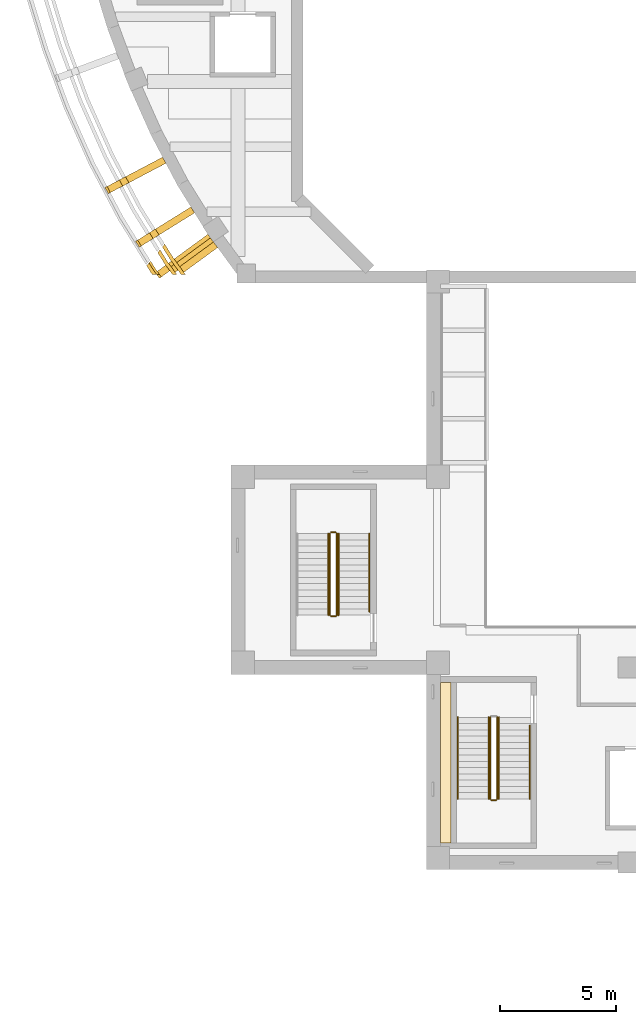
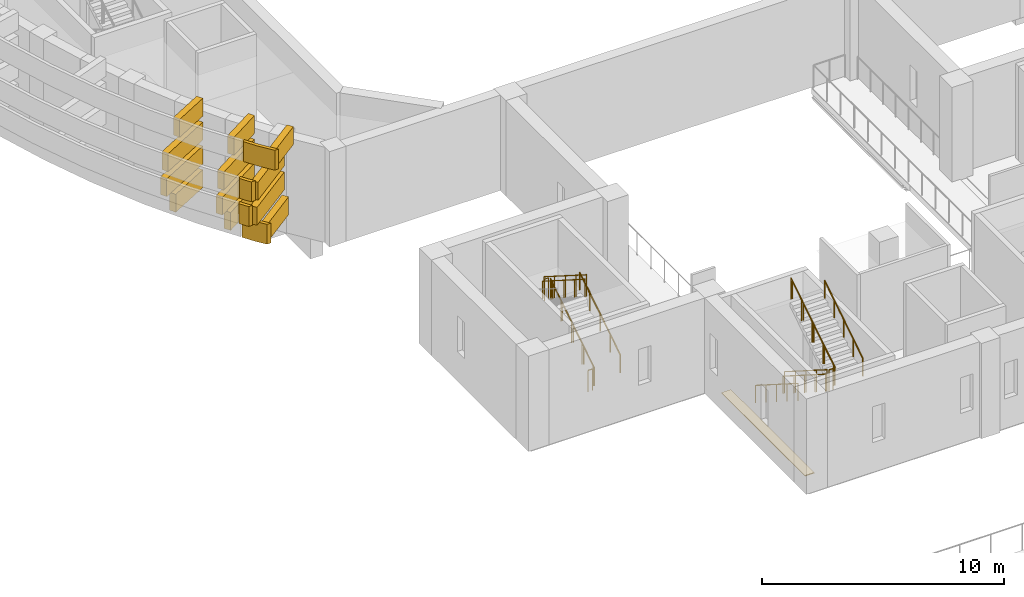
# One storey, part 21 of 37: 17 coverings, 14 railings.
"""IFC4 building model written with IfcOpenShell, lengths in metres."""

from ifc_helpers import new_model, si_unit, direction, frame, origin, origin_2d, place, context, subcontext, project, spatial, polyline, rectangle, circle, outline, extrude, material, layer, layer_set, type_object, element, save


model = new_model("IFC4")

# Units and contexts
model_context = context("Model", 3, precision=1e-05, world=origin(), true_north=direction((0.0, 1.0)))
body_context = subcontext(model_context, "Body", "Model", "MODEL_VIEW")
ifc_project = project(units=[si_unit("LENGTHUNIT", "METRE"), si_unit("AREAUNIT", "SQUARE_METRE"), si_unit("VOLUMEUNIT", "CUBIC_METRE"), si_unit("PLANEANGLEUNIT", "RADIAN"), si_unit("MASSUNIT", "GRAM", prefix="KILO")], contexts=[model_context])

# Site, building, storey
site_placement = place(None, origin())
site = spatial("IfcSite", under=ifc_project, at=site_placement, CompositionType="ELEMENT")
building_placement = place(site_placement, origin())
building = spatial("IfcBuilding", under=site, at=building_placement, Name="Larchfold Concert Hall", CompositionType="ELEMENT")
storey_placement = place(building_placement, frame((0.0, 0.0, 19.199951171875)))
storey = spatial("IfcBuildingStorey", under=building, at=storey_placement, Name="L04", CompositionType="ELEMENT", Elevation=19.199951171875)

# Coverings
ifc_material_1 = material(Name="Polished terrazzo")
ifc_layer_1 = layer(ifc_material_1, 0.0400390625)
ifc_layer_set_1 = layer_set([ifc_layer_1], Name="Polished terrazzo")
covering_type_1 = type_object("IfcCoveringType", Name="Floor finish terrazzo 40", PredefinedType="FLOORING", material=ifc_layer_set_1)
covering_1_placement = place(storey_placement, origin())
element("IfcCovering", 1, at=covering_1_placement, inside=storey, type_object=covering_type_1, Name="Floor finish Fly Gallery Walkway 01", PredefinedType="FLOORING", context=body_context, shape_type="SweptSolid", body=[
    extrude(outline(polyline([(34.5, 35.050048828125), (34.949951171875, 35.050048828125), (34.949951171875, 41.949951171875), (34.5, 41.949951171875), (34.5, 35.050048828125)])), origin(), (0.0, 0.0, 1.0), 0.0400390625),
])
ifc_material_2 = material(Name="Powder-coated orange aluminium", Category="aluminium")
ifc_layer_2 = layer(ifc_material_2, 0.14990234375)
ifc_layer_set_2 = layer_set([ifc_layer_2], Name="Powder-coated orange aluminium")
covering_type_2 = type_object("IfcCoveringType", Name="Orange aluminium ring cladding", PredefinedType="CLADDING", material=ifc_layer_set_2)
covering_2_placement = place(storey_placement, frame((0.0, 0.0, 0.900146484375)))
element("IfcCovering", 2, at=covering_2_placement, inside=storey, type_object=covering_type_2, Name="Ring band R08d", PredefinedType="CLADDING", context=body_context, shape_type="SweptSolid", body=[
    extrude(outline(polyline([(22.44091796875, 60.5693359375), (22.33935546875, 60.44873046875), (22.63330078125, 59.975341796875), (22.9814453125, 59.5), (23.167236328125, 59.5), (22.7578125, 60.0595703125), (22.44091796875, 60.5693359375)])), origin(), (0.0, 0.0, 1.0), 1.0),
])
covering_3_placement = place(storey_placement, frame((0.0, 0.0, 2.10009765625)))
element("IfcCovering", 3, at=covering_3_placement, inside=storey, type_object=covering_type_2, Name="Ring band R09d", PredefinedType="CLADDING", context=body_context, shape_type="SweptSolid", body=[
    extrude(outline(polyline([(21.967041015625, 60.005615234375), (21.865478515625, 59.884765625), (22.052734375, 59.58349609375), (22.11376953125, 59.5), (22.2998046875, 59.5), (22.17724609375, 59.66748046875), (21.967041015625, 60.005615234375)])), origin(), (0.0, 0.0, 1.0), 1.0),
])
covering_4_placement = place(storey_placement, frame((0.0, 0.0, 3.300048828125)))
element("IfcCovering", 4, at=covering_4_placement, inside=storey, type_object=covering_type_2, Name="Ring band R10d", PredefinedType="CLADDING", context=body_context, shape_type="SweptSolid", body=[
    extrude(outline(polyline([(22.03466796875, 60.086181640625), (21.93310546875, 59.96533203125), (22.1357421875, 59.639404296875), (22.23779296875, 59.5), (22.423583984375, 59.5), (22.260009765625, 59.723388671875), (22.03466796875, 60.086181640625)])), origin(), (0.0, 0.0, 1.0), 1.0),
])
covering_5_placement = place(storey_placement, frame((0.0, 0.0, 4.5)))
element("IfcCovering", 5, at=covering_5_placement, inside=storey, type_object=covering_type_2, Name="Ring band R11d", PredefinedType="CLADDING", context=body_context, shape_type="SweptSolid", body=[
    extrude(outline(polyline([(22.643798828125, 60.81103515625), (22.542236328125, 60.690185546875), (22.882080078125, 60.1435546875), (23.353271484375, 59.5), (23.5390625, 59.5), (23.006591796875, 60.2275390625), (22.643798828125, 60.81103515625)])), origin(), (0.0, 0.0, 1.0), 1.0),
])
ifc_material_3 = material(Name="Galvanised steel bracket", Category="steel")
ifc_layer_3 = layer(ifc_material_3, 0.300048828125)
ifc_layer_set_3 = layer_set([ifc_layer_3], Name="Galvanised steel bracket")
covering_type_3 = type_object("IfcCoveringType", Name="Ring support bracket", PredefinedType="CLADDING", material=ifc_layer_set_3)
for number, where, z_axis, x_axis, name in (
    (6, (21.693359375, 63.931884765625, 0.9501953125), (0.0, 0.0, 1.0), (-0.884535681061, -0.466472538238, 0.0), "Ring bracket BR-R08-24"),
    (7, (22.956298828125, 61.729248046875, 0.9501953125), (0.0, 0.0, 1.0), (-0.849390839977, -0.527764342263, 0.0), "Ring bracket BR-R08-25"),
    (8, (23.852783203125, 60.34130859375, 0.9501953125), (0.0, 0.0, 1.0), (-0.80684915404, -0.590757515927, 0.0), "Ring bracket BR-R08-26"),
):
    element("IfcCovering", number, at=place(storey_placement, frame(where, z_axis=z_axis, x_axis=x_axis)), inside=storey, type_object=covering_type_3, Name=name, PredefinedType="CLADDING", context=body_context, shape_type="SweptSolid", body=[
        extrude(rectangle(XDim=2.10009765625, YDim=0.300048828125, at=origin_2d()), origin(), (0.0, 0.0, 1.0), 0.89990234375),
    ])
for number, where, z_axis, x_axis, name in (
    (9, (21.3837890625, 63.768798828125, 2.150146484375), (0.0, 0.0, 1.0), (-0.884535681061, -0.466472538238, 0.0), "Ring bracket BR-R09-24"),
    (10, (22.6591796875, 61.54443359375, 2.150146484375), (0.0, 0.0, 1.0), (-0.849390839977, -0.527764342263, 0.0), "Ring bracket BR-R09-25"),
    (11, (23.458251953125, 60.28759765625, 2.150146484375), (0.0, 0.0, 1.0), (-0.80684915404, -0.590757515927, 0.0), "Ring bracket BR-R09-26"),
):
    element("IfcCovering", number, at=place(storey_placement, frame(where, z_axis=z_axis, x_axis=x_axis)), inside=storey, type_object=covering_type_3, Name=name, PredefinedType="CLADDING", context=body_context, shape_type="SweptSolid", body=[
        extrude(rectangle(XDim=2.800048828125, YDim=0.300048828125, at=origin_2d()), origin(), (0.0, 0.0, 1.0), 0.89990234375),
    ])
for number, where, z_axis, x_axis, name in (
    (12, (21.427978515625, 63.7919921875, 3.35009765625), (0.0, 0.0, 1.0), (-0.884535681061, -0.466472538238, 0.0), "Ring bracket BR-R10-24"),
    (13, (22.70166015625, 61.57080078125, 3.35009765625), (0.0, 0.0, 1.0), (-0.849390839977, -0.527764342263, 0.0), "Ring bracket BR-R10-25"),
    (14, (23.49853515625, 60.317138671875, 3.35009765625), (0.0, 0.0, 1.0), (-0.80684915404, -0.590757515927, 0.0), "Ring bracket BR-R10-26"),
):
    element("IfcCovering", number, at=place(storey_placement, frame(where, z_axis=z_axis, x_axis=x_axis)), inside=storey, type_object=covering_type_3, Name=name, PredefinedType="CLADDING", context=body_context, shape_type="SweptSolid", body=[
        extrude(rectangle(XDim=2.699951171875, YDim=0.300048828125, at=origin_2d()), origin(), (0.0, 0.0, 1.0), 0.89990234375),
    ])
for number, where, z_axis, x_axis, name in (
    (15, (21.825927734375, 64.001953125, 4.550048828125), (0.0, 0.0, 1.0), (-0.884535681061, -0.466472538238, 0.0), "Ring bracket BR-R11-24"),
    (16, (23.083740234375, 61.808349609375, 4.550048828125), (0.0, 0.0, 1.0), (-0.849390839977, -0.527764342263, 0.0), "Ring bracket BR-R11-25"),
    (17, (24.103515625, 60.252685546875, 4.550048828125), (0.0, 0.0, 1.0), (-0.80684915404, -0.590757515927, 0.0), "Ring bracket BR-R11-26"),
):
    element("IfcCovering", number, at=place(storey_placement, frame(where, z_axis=z_axis, x_axis=x_axis)), inside=storey, type_object=covering_type_3, Name=name, PredefinedType="CLADDING", context=body_context, shape_type="SweptSolid", body=[
        extrude(rectangle(XDim=1.800048828125, YDim=0.300048828125, at=origin_2d()), origin(), (0.0, 0.0, 1.0), 0.89990234375),
    ])

# Railings
ifc_material_4 = material(Name="Stainless steel balustrade", Category="steel")
railing_type_1 = type_object("IfcRailingType", Name="Stair guard 1100", PredefinedType="GUARDRAIL", material=ifc_material_4)
railing_1_placement = place(storey_placement, frame((30.050048828125, 44.85009765625, 0.17138671875)))
element("IfcRailing", 18, at=railing_1_placement, inside=storey, type_object=railing_type_1, Name="Guard GR0035", PredefinedType="GUARDRAIL", context=body_context, shape_type="SweptSolid", body=[
    extrude(circle(Radius=0.02392578125, at=origin_2d()), frame((0.0, 0.0, 1.076171875), z_axis=(0.0, 0.844192992368, 0.536039356425), x_axis=(-1.0, 0.0, 0.0)), (0.0, 0.0, 1.0), 4.15771484375),
    extrude(circle(Radius=0.02099609375, at=origin_2d()), origin(), (0.0, 0.0, 1.0), 1.052001953125),
    extrude(circle(Radius=0.02099609375, at=origin_2d()), frame((0.0, 0.87744140625, 0.55712890625)), (0.0, 0.0, 1.0), 1.052001953125),
    extrude(circle(Radius=0.02099609375, at=origin_2d()), frame((0.0, 1.7548828125, 1.1142578125)), (0.0, 0.0, 1.0), 1.052001953125),
    extrude(circle(Radius=0.02099609375, at=origin_2d()), frame((0.0, 2.632568359375, 1.671630859375)), (0.0, 0.0, 1.0), 1.052001953125),
    extrude(circle(Radius=0.02099609375, at=origin_2d()), frame((0.0, 3.510009765625, 2.228759765625)), (0.0, 0.0, 1.0), 1.052001953125),
])
railing_2_placement = place(storey_placement, frame((30.0, 48.41015625, 2.400146484375)))
element("IfcRailing", 19, at=railing_2_placement, inside=storey, type_object=railing_type_1, Name="Guard GR0036", PredefinedType="GUARDRAIL", context=body_context, shape_type="SweptSolid", body=[
    extrude(circle(Radius=0.02392578125, at=origin_2d()), frame((0.0, 0.0, 1.076171875), z_axis=(-1.0, 0.0, 0.0), x_axis=(0.0, -1.0, 0.0)), (0.0, 0.0, 1.0), 0.199951171875),
    extrude(circle(Radius=0.02099609375, at=origin_2d()), origin(), (0.0, 0.0, 1.0), 1.052001953125),
    extrude(circle(Radius=0.02099609375, at=origin_2d()), frame((-0.199951171875, 0.0, 0.0)), (0.0, 0.0, 1.0), 1.052001953125),
])
railing_3_placement = place(storey_placement, frame((29.75, 48.360107421875, 2.571533203125)))
element("IfcRailing", 20, at=railing_3_placement, inside=storey, type_object=railing_type_1, Name="Guard GR0037", PredefinedType="GUARDRAIL", context=body_context, shape_type="SweptSolid", body=[
    extrude(circle(Radius=0.02392578125, at=origin_2d()), frame((0.0, 0.0, 1.076171875), z_axis=(0.0, -0.844219563411, 0.53599750816), x_axis=(1.0, 0.0, 0.0)), (0.0, 0.0, 1.0), 4.15771484375),
    extrude(circle(Radius=0.02099609375, at=origin_2d()), origin(), (0.0, 0.0, 1.0), 1.052001953125),
    extrude(circle(Radius=0.02099609375, at=origin_2d()), frame((0.0, -0.87744140625, 0.55712890625)), (0.0, 0.0, 1.0), 1.052001953125),
    extrude(circle(Radius=0.02099609375, at=origin_2d()), frame((0.0, -1.7548828125, 1.1142578125)), (0.0, 0.0, 1.0), 1.052001953125),
    extrude(circle(Radius=0.02099609375, at=origin_2d()), frame((0.0, -2.632568359375, 1.67138671875)), (0.0, 0.0, 1.0), 1.052001953125),
    extrude(circle(Radius=0.02099609375, at=origin_2d()), frame((0.0, -3.510009765625, 2.228515625)), (0.0, 0.0, 1.0), 1.052001953125),
])
railing_4_placement = place(storey_placement, frame((30.0, 44.800048828125, 0.0)))
element("IfcRailing", 21, at=railing_4_placement, inside=storey, type_object=railing_type_1, Name="Guard GR0038", PredefinedType="GUARDRAIL", context=body_context, shape_type="SweptSolid", body=[
    extrude(circle(Radius=0.02392578125, at=origin_2d()), frame((0.0, 0.0, 1.076171875), z_axis=(-1.0, 0.0, 0.0), x_axis=(0.0, -1.0, 0.0)), (0.0, 0.0, 1.0), 0.199951171875),
    extrude(circle(Radius=0.02099609375, at=origin_2d()), origin(), (0.0, 0.0, 1.0), 1.052001953125),
    extrude(circle(Radius=0.02099609375, at=origin_2d()), frame((-0.199951171875, 0.0, 0.0)), (0.0, 0.0, 1.0), 1.052001953125),
])
railing_5_placement = place(storey_placement, frame((36.64990234375, 40.449951171875, 0.17138671875)))
element("IfcRailing", 22, at=railing_5_placement, inside=storey, type_object=railing_type_1, Name="Guard GR0043", PredefinedType="GUARDRAIL", context=body_context, shape_type="SweptSolid", body=[
    extrude(circle(Radius=0.02392578125, at=origin_2d()), frame((0.0, 0.0, 1.076171875), z_axis=(0.0, -0.844192992368, 0.536039356425), x_axis=(1.0, 0.0, 0.0)), (0.0, 0.0, 1.0), 4.15771484375),
    extrude(circle(Radius=0.02099609375, at=origin_2d()), origin(), (0.0, 0.0, 1.0), 1.052001953125),
    extrude(circle(Radius=0.02099609375, at=origin_2d()), frame((0.0, -0.87744140625, 0.55712890625)), (0.0, 0.0, 1.0), 1.052001953125),
    extrude(circle(Radius=0.02099609375, at=origin_2d()), frame((0.0, -1.7548828125, 1.1142578125)), (0.0, 0.0, 1.0), 1.052001953125),
    extrude(circle(Radius=0.02099609375, at=origin_2d()), frame((0.0, -2.632568359375, 1.671630859375)), (0.0, 0.0, 1.0), 1.052001953125),
    extrude(circle(Radius=0.02099609375, at=origin_2d()), frame((0.0, -3.510009765625, 2.228759765625)), (0.0, 0.0, 1.0), 1.052001953125),
])
railing_6_placement = place(storey_placement, frame((36.699951171875, 36.889892578125, 2.400146484375)))
element("IfcRailing", 23, at=railing_6_placement, inside=storey, type_object=railing_type_1, Name="Guard GR0044", PredefinedType="GUARDRAIL", context=body_context, shape_type="SweptSolid", body=[
    extrude(circle(Radius=0.02392578125, at=origin_2d()), frame((0.0, 0.0, 1.076171875), z_axis=(1.0, 0.0, 0.0), x_axis=(0.0, 1.0, 0.0)), (0.0, 0.0, 1.0), 0.199951171875),
    extrude(circle(Radius=0.02099609375, at=origin_2d()), origin(), (0.0, 0.0, 1.0), 1.052001953125),
    extrude(circle(Radius=0.02099609375, at=origin_2d()), frame((0.199951171875, 0.0, 0.0)), (0.0, 0.0, 1.0), 1.052001953125),
])
railing_7_placement = place(storey_placement, frame((36.949951171875, 36.93994140625, 2.571533203125)))
element("IfcRailing", 24, at=railing_7_placement, inside=storey, type_object=railing_type_1, Name="Guard GR0045", PredefinedType="GUARDRAIL", context=body_context, shape_type="SweptSolid", body=[
    extrude(circle(Radius=0.02392578125, at=origin_2d()), frame((0.0, 0.0, 1.076171875), z_axis=(0.0, 0.844219563411, 0.53599750816), x_axis=(-1.0, 0.0, 0.0)), (0.0, 0.0, 1.0), 4.15771484375),
    extrude(circle(Radius=0.02099609375, at=origin_2d()), origin(), (0.0, 0.0, 1.0), 1.052001953125),
    extrude(circle(Radius=0.02099609375, at=origin_2d()), frame((0.0, 0.87744140625, 0.55712890625)), (0.0, 0.0, 1.0), 1.052001953125),
    extrude(circle(Radius=0.02099609375, at=origin_2d()), frame((0.0, 1.7548828125, 1.1142578125)), (0.0, 0.0, 1.0), 1.052001953125),
    extrude(circle(Radius=0.02099609375, at=origin_2d()), frame((0.0, 2.632568359375, 1.67138671875)), (0.0, 0.0, 1.0), 1.052001953125),
    extrude(circle(Radius=0.02099609375, at=origin_2d()), frame((0.0, 3.510009765625, 2.228515625)), (0.0, 0.0, 1.0), 1.052001953125),
])
ifc_material_5 = material(Name="Stainless steel handrail", Category="steel")
railing_type_2 = type_object("IfcRailingType", Name="Stair handrail 900", PredefinedType="HANDRAIL", material=ifc_material_5)
railing_8_placement = place(storey_placement, frame((31.449951171875, 45.000244140625, 0.266845703125)))
element("IfcRailing", 25, at=railing_8_placement, inside=storey, type_object=railing_type_2, Name="Handrail HR0033", PredefinedType="HANDRAIL", context=body_context, shape_type="SweptSolid", body=[
    extrude(circle(Radius=0.02392578125, at=origin_2d()), frame((0.0, 0.0, 0.8759765625), z_axis=(0.0, 0.844206646714, 0.536017851983), x_axis=(-1.0, 0.0, 0.0)), (0.0, 0.0, 1.0), 3.97998046875),
    extrude(circle(Radius=0.02099609375, at=origin_2d()), origin(), (0.0, 0.0, 1.0), 0.851806640625),
    extrude(circle(Radius=0.02099609375, at=origin_2d()), frame((0.0, 0.83984375, 0.533203125)), (0.0, 0.0, 1.0), 0.851806640625),
    extrude(circle(Radius=0.02099609375, at=origin_2d()), frame((0.0, 1.679931640625, 1.066650390625)), (0.0, 0.0, 1.0), 0.851806640625),
    extrude(circle(Radius=0.02099609375, at=origin_2d()), frame((0.0, 2.52001953125, 1.60009765625)), (0.0, 0.0, 1.0), 0.851806640625),
    extrude(circle(Radius=0.02099609375, at=origin_2d()), frame((0.0, 3.35986328125, 2.13330078125)), (0.0, 0.0, 1.0), 0.851806640625),
])
railing_9_placement = place(storey_placement, frame((30.1201171875, 44.85009765625, 0.17138671875)))
element("IfcRailing", 26, at=railing_9_placement, inside=storey, type_object=railing_type_2, Name="Handrail HR0035", PredefinedType="HANDRAIL", context=body_context, shape_type="SweptSolid", body=[
    extrude(circle(Radius=0.02392578125, at=origin_2d()), frame((0.0, 0.0, 0.8759765625), z_axis=(0.0, 0.844192992368, 0.536039356425), x_axis=(-1.0, 0.0, 0.0)), (0.0, 0.0, 1.0), 4.15771484375),
    extrude(circle(Radius=0.02099609375, at=origin_2d()), origin(), (0.0, 0.0, 1.0), 0.851806640625),
    extrude(circle(Radius=0.02099609375, at=origin_2d()), frame((0.0, 0.87744140625, 0.55712890625)), (0.0, 0.0, 1.0), 0.851806640625),
    extrude(circle(Radius=0.02099609375, at=origin_2d()), frame((0.0, 1.7548828125, 1.1142578125)), (0.0, 0.0, 1.0), 0.851806640625),
    extrude(circle(Radius=0.02099609375, at=origin_2d()), frame((0.0, 2.632568359375, 1.671630859375)), (0.0, 0.0, 1.0), 0.851806640625),
    extrude(circle(Radius=0.02099609375, at=origin_2d()), frame((0.0, 3.510009765625, 2.228759765625)), (0.0, 0.0, 1.0), 0.851806640625),
])
railing_10_placement = place(storey_placement, frame((29.679931640625, 48.360107421875, 2.571533203125)))
element("IfcRailing", 27, at=railing_10_placement, inside=storey, type_object=railing_type_2, Name="Handrail HR0036", PredefinedType="HANDRAIL", context=body_context, shape_type="SweptSolid", body=[
    extrude(circle(Radius=0.02392578125, at=origin_2d()), frame((0.0, 0.0, 0.8759765625), z_axis=(0.0, -0.844219563411, 0.53599750816), x_axis=(1.0, 0.0, 0.0)), (0.0, 0.0, 1.0), 4.15771484375),
    extrude(circle(Radius=0.02099609375, at=origin_2d()), origin(), (0.0, 0.0, 1.0), 0.851806640625),
    extrude(circle(Radius=0.02099609375, at=origin_2d()), frame((0.0, -0.87744140625, 0.55712890625)), (0.0, 0.0, 1.0), 0.851806640625),
    extrude(circle(Radius=0.02099609375, at=origin_2d()), frame((0.0, -1.7548828125, 1.1142578125)), (0.0, 0.0, 1.0), 0.851806640625),
    extrude(circle(Radius=0.02099609375, at=origin_2d()), frame((0.0, -2.632568359375, 1.67138671875)), (0.0, 0.0, 1.0), 0.851806640625),
    extrude(circle(Radius=0.02099609375, at=origin_2d()), frame((0.0, -3.510009765625, 2.228515625)), (0.0, 0.0, 1.0), 0.851806640625),
])
railing_11_placement = place(storey_placement, frame((35.25, 40.449951171875, 0.17138671875)))
element("IfcRailing", 28, at=railing_11_placement, inside=storey, type_object=railing_type_2, Name="Handrail HR0041", PredefinedType="HANDRAIL", context=body_context, shape_type="SweptSolid", body=[
    extrude(circle(Radius=0.02392578125, at=origin_2d()), frame((0.0, 0.0, 0.8759765625), z_axis=(0.0, -0.844192992368, 0.536039356425), x_axis=(1.0, 0.0, 0.0)), (0.0, 0.0, 1.0), 4.15771484375),
    extrude(circle(Radius=0.02099609375, at=origin_2d()), origin(), (0.0, 0.0, 1.0), 0.851806640625),
    extrude(circle(Radius=0.02099609375, at=origin_2d()), frame((0.0, -0.87744140625, 0.55712890625)), (0.0, 0.0, 1.0), 0.851806640625),
    extrude(circle(Radius=0.02099609375, at=origin_2d()), frame((0.0, -1.7548828125, 1.1142578125)), (0.0, 0.0, 1.0), 0.851806640625),
    extrude(circle(Radius=0.02099609375, at=origin_2d()), frame((0.0, -2.632568359375, 1.671630859375)), (0.0, 0.0, 1.0), 0.851806640625),
    extrude(circle(Radius=0.02099609375, at=origin_2d()), frame((0.0, -3.510009765625, 2.228759765625)), (0.0, 0.0, 1.0), 0.851806640625),
])
railing_12_placement = place(storey_placement, frame((38.35009765625, 36.93994140625, 2.571533203125)))
element("IfcRailing", 29, at=railing_12_placement, inside=storey, type_object=railing_type_2, Name="Handrail HR0042", PredefinedType="HANDRAIL", context=body_context, shape_type="SweptSolid", body=[
    extrude(circle(Radius=0.02392578125, at=origin_2d()), frame((0.0, 0.0, 0.8759765625), z_axis=(0.0, 0.844224994989, 0.535988953092), x_axis=(-1.0, 0.0, 0.0)), (0.0, 0.0, 1.0), 3.7431640625),
    extrude(circle(Radius=0.02099609375, at=origin_2d()), origin(), (0.0, 0.0, 1.0), 0.851806640625),
    extrude(circle(Radius=0.02099609375, at=origin_2d()), frame((0.0, 0.7900390625, 0.50146484375)), (0.0, 0.0, 1.0), 0.851806640625),
    extrude(circle(Radius=0.02099609375, at=origin_2d()), frame((0.0, 1.580078125, 1.003173828125)), (0.0, 0.0, 1.0), 0.851806640625),
    extrude(circle(Radius=0.02099609375, at=origin_2d()), frame((0.0, 2.3701171875, 1.5048828125)), (0.0, 0.0, 1.0), 0.851806640625),
    extrude(circle(Radius=0.02099609375, at=origin_2d()), frame((0.0, 3.16015625, 2.00634765625)), (0.0, 0.0, 1.0), 0.851806640625),
])
railing_13_placement = place(storey_placement, frame((36.579833984375, 40.449951171875, 0.17138671875)))
element("IfcRailing", 30, at=railing_13_placement, inside=storey, type_object=railing_type_2, Name="Handrail HR0043", PredefinedType="HANDRAIL", context=body_context, shape_type="SweptSolid", body=[
    extrude(circle(Radius=0.02392578125, at=origin_2d()), frame((0.0, 0.0, 0.8759765625), z_axis=(0.0, -0.844192992368, 0.536039356425), x_axis=(1.0, 0.0, 0.0)), (0.0, 0.0, 1.0), 4.15771484375),
    extrude(circle(Radius=0.02099609375, at=origin_2d()), origin(), (0.0, 0.0, 1.0), 0.851806640625),
    extrude(circle(Radius=0.02099609375, at=origin_2d()), frame((0.0, -0.87744140625, 0.55712890625)), (0.0, 0.0, 1.0), 0.851806640625),
    extrude(circle(Radius=0.02099609375, at=origin_2d()), frame((0.0, -1.7548828125, 1.1142578125)), (0.0, 0.0, 1.0), 0.851806640625),
    extrude(circle(Radius=0.02099609375, at=origin_2d()), frame((0.0, -2.632568359375, 1.671630859375)), (0.0, 0.0, 1.0), 0.851806640625),
    extrude(circle(Radius=0.02099609375, at=origin_2d()), frame((0.0, -3.510009765625, 2.228759765625)), (0.0, 0.0, 1.0), 0.851806640625),
])
railing_14_placement = place(storey_placement, frame((37.02001953125, 36.93994140625, 2.571533203125)))
element("IfcRailing", 31, at=railing_14_placement, inside=storey, type_object=railing_type_2, Name="Handrail HR0044", PredefinedType="HANDRAIL", context=body_context, shape_type="SweptSolid", body=[
    extrude(circle(Radius=0.02392578125, at=origin_2d()), frame((0.0, 0.0, 0.8759765625), z_axis=(0.0, 0.844219563411, 0.53599750816), x_axis=(-1.0, 0.0, 0.0)), (0.0, 0.0, 1.0), 4.15771484375),
    extrude(circle(Radius=0.02099609375, at=origin_2d()), origin(), (0.0, 0.0, 1.0), 0.851806640625),
    extrude(circle(Radius=0.02099609375, at=origin_2d()), frame((0.0, 0.87744140625, 0.55712890625)), (0.0, 0.0, 1.0), 0.851806640625),
    extrude(circle(Radius=0.02099609375, at=origin_2d()), frame((0.0, 1.7548828125, 1.1142578125)), (0.0, 0.0, 1.0), 0.851806640625),
    extrude(circle(Radius=0.02099609375, at=origin_2d()), frame((0.0, 2.632568359375, 1.67138671875)), (0.0, 0.0, 1.0), 0.851806640625),
    extrude(circle(Radius=0.02099609375, at=origin_2d()), frame((0.0, 3.510009765625, 2.228515625)), (0.0, 0.0, 1.0), 0.851806640625),
])

save(model, "model.ifc")
